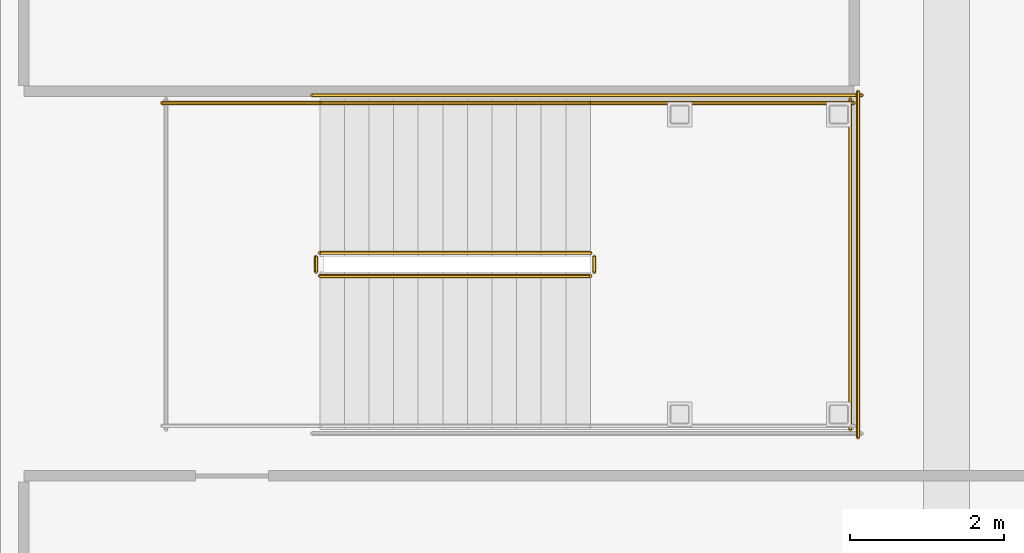
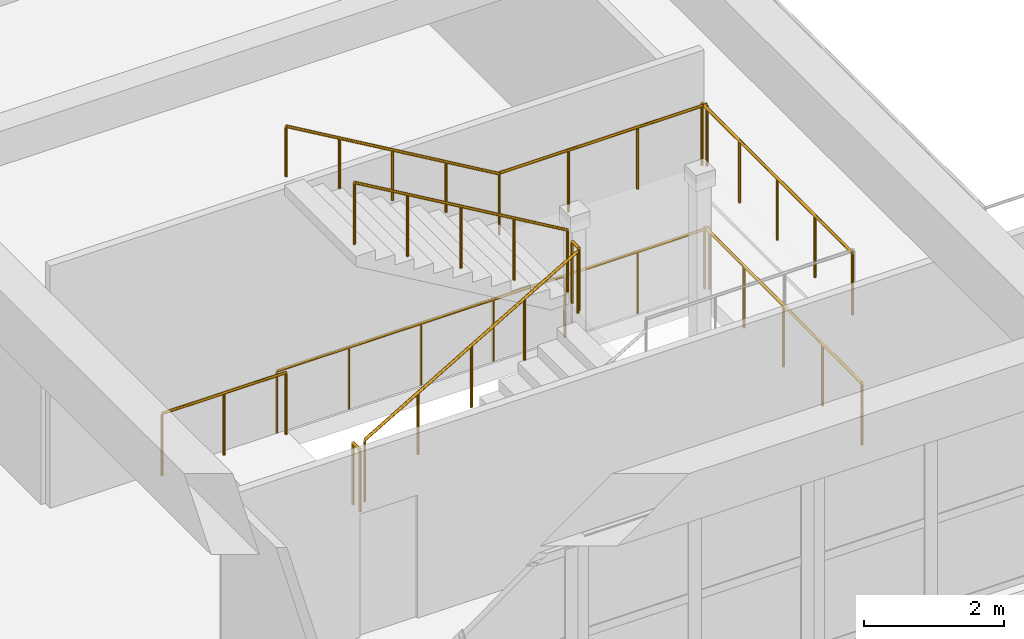
# One storey, part 82 of 92: 10 railings.
"""IFC4 building model written with IfcOpenShell, lengths in metres."""

import ifcopenshell
import ifcopenshell.guid

model = None  # the IFC model being written
_history = None  # IfcOwnerHistory: only IFC2X3 demands one
_inside = {}  # id of a spatial element -> (the spatial element, [elements in it])
_under = {}  # id of a project, library or spatial element -> (it, [spatial elements below it])
_declared = {}  # id of a project -> (the project, [libraries it declares])
_typed = {}  # id of a type object -> (the type object, [elements of that type])
_made_of = {}  # id of a material, layer set ... -> (it, [elements and type objects made of it])


def new_model(schema):
    """Start an empty IFC model of exactly this schema.

    Asked for "IFC4X3", IfcOpenShell would pick the latest addendum, in which some entities
    have other attributes; the version numbers below select the first issue.
    IFC2X3 requires an IfcOwnerHistory on every rooted entity: one is made here for all.
    """
    global model, _history
    if schema == "IFC4X3":
        model = ifcopenshell.file(schema_version=(4, 3, 0, 0))
    else:
        model = ifcopenshell.file(schema=schema)
    _inside.clear()
    _under.clear()
    _declared.clear()
    _typed.clear()
    _made_of.clear()
    _history = None
    if model.schema == "IFC2X3":
        org = make("IfcOrganization", Name="unknown")
        user = make(
            "IfcPersonAndOrganization",
            ThePerson=make("IfcPerson", FamilyName="unknown"),
            TheOrganization=org,
        )
        app = make(
            "IfcApplication",
            ApplicationDeveloper=org,
            Version="unknown",
            ApplicationFullName="unknown",
            ApplicationIdentifier="unknown",
        )
        _history = make(
            "IfcOwnerHistory",
            OwningUser=user,
            OwningApplication=app,
            ChangeAction="ADDED",
            CreationDate=0,
        )
    return model


def make(cls, **values):
    """One entity of the class cls with the attributes given. An attribute that is None is left unset."""
    return model.create_entity(
        cls, **{name: value for name, value in values.items() if value is not None}
    )


def rooted(cls, **values):
    """An entity with a GlobalId (a new one), such as an element, a storey or a relation."""
    return make(cls, GlobalId=ifcopenshell.guid.new(), OwnerHistory=_history, **values)


def si_unit(unit_type, name, prefix=None):
    """IfcSIUnit, for example si_unit("LENGTHUNIT", "METRE", prefix="MILLI")."""
    return make("IfcSIUnit", UnitType=unit_type, Prefix=prefix, Name=name)


def assignment(units):
    """IfcUnitAssignment: the units of a project."""
    return None if units is None else make("IfcUnitAssignment", Units=units)


def point(xyz):
    """IfcCartesianPoint."""
    return None if xyz is None else make("IfcCartesianPoint", Coordinates=xyz)


def direction(xyz):
    """IfcDirection."""
    return None if xyz is None else make("IfcDirection", DirectionRatios=xyz)


def frame(location, z_axis=None, x_axis=None):
    """IfcAxis2Placement3D, a coordinate frame: its origin and axes. An axis left out is left unset."""
    return make(
        "IfcAxis2Placement3D",
        Location=point(location),
        Axis=direction(z_axis),
        RefDirection=direction(x_axis),
    )


def frame_2d(location, x_axis=None):
    """IfcAxis2Placement2D, a coordinate frame in the plane: its origin and x axis."""
    return make(
        "IfcAxis2Placement2D", Location=point(location), RefDirection=direction(x_axis)
    )


def origin():
    """The frame at (0, 0, 0) with its axes left unset."""
    return frame((0.0, 0.0, 0.0))


def origin_2d():
    """The frame at (0, 0) in the plane with its x axis left unset."""
    return frame_2d((0.0, 0.0))


def place(relative_to, where):
    """IfcLocalPlacement: puts the frame where relative to a parent placement (None: the world)."""
    return make(
        "IfcLocalPlacement", PlacementRelTo=relative_to, RelativePlacement=where
    )


def context(
    kind, dimensions, precision=None, world=None, true_north=None, identifier=None
):
    """IfcGeometricRepresentationContext, for example the 3D "Model" context."""
    return make(
        "IfcGeometricRepresentationContext",
        ContextIdentifier=identifier,
        ContextType=kind,
        CoordinateSpaceDimension=dimensions,
        Precision=precision,
        WorldCoordinateSystem=world,
        TrueNorth=true_north,
    )


def subcontext(parent, identifier, kind, view, scale=None):
    """IfcGeometricRepresentationSubContext, for example "Body" below "Model"."""
    return make(
        "IfcGeometricRepresentationSubContext",
        ContextIdentifier=identifier,
        ContextType=kind,
        ParentContext=parent,
        TargetScale=scale,
        TargetView=view,
    )


def project(units=None, contexts=None):
    """IfcProject with its units and contexts."""
    return rooted(
        "IfcProject",
        Name="project",
        RepresentationContexts=contexts,
        UnitsInContext=assignment(units),
    )


def spatial(cls, under=None, at=None, **own):
    """A site, building, storey or space (cls), placed at a placement, below another one or the project."""
    s = rooted(cls, ObjectPlacement=at, **own)
    if under is not None:
        _under.setdefault(under.id(), (under, []))[1].append(s)
    return s


def profile(cls, at=None, kind="AREA", **sizes):
    """A parametric profile (cls). Its sizes go by their IFC names, for example OverallWidth=200.0."""
    return make(cls, ProfileType=kind, Position=at, **sizes)


def circle(**sizes):
    """IfcCircleProfileDef."""
    return profile("IfcCircleProfileDef", **sizes)


def extrude(swept, where, along, depth):
    """IfcExtrudedAreaSolid: the profile swept, set in the frame where, extruded along a direction by depth."""
    return make(
        "IfcExtrudedAreaSolid",
        SweptArea=swept,
        Position=where,
        ExtrudedDirection=direction(along),
        Depth=depth,
    )


def shape(context_of_items, identifier, shape_type, items):
    """IfcShapeRepresentation: the items that make up one representation, for example the "Body"."""
    return make(
        "IfcShapeRepresentation",
        ContextOfItems=context_of_items,
        RepresentationIdentifier=identifier,
        RepresentationType=shape_type,
        Items=items,
    )


def material(Name=None, Category=None):
    """IfcMaterial."""
    return make("IfcMaterial", Name=Name, Category=Category)


def made_of(thing, what):
    """Note that an element or type object is made of a material, layer set ...; save() writes the relation."""
    if what is not None:
        _made_of.setdefault(what.id(), (what, []))[1].append(thing)
    return thing


def type_object(cls, material=None, **own):
    """A type object (cls), such as IfcWallType, which elements share."""
    return made_of(rooted(cls, **own), material)


def element(
    cls,
    number,
    at=None,
    inside=None,
    cuts=None,
    type_object=None,
    material=None,
    context=None,
    identifier="Body",
    shape_type=None,
    held_by="IfcProductDefinitionShape",
    body=None,
    shapes=None,
    **own,
):
    """One element of the class cls, such as IfcWall. Its Tag is "e" and its number.

    at: its placement. inside: the storey or other place that contains it. cuts: it is an
    opening in that element (IfcRelVoidsElement). A single representation is given by context,
    identifier, shape_type and body (its items); several are given by shapes. held_by: the class
    of the entity that holds the representations. save() writes the other relations.
    """
    e = rooted(cls, Tag="e%d" % number, ObjectPlacement=at, **own)
    if body is not None:
        shapes = [shape(context, identifier, shape_type, body)]
    if shapes is not None:
        e.Representation = make(held_by, Representations=shapes)
    if inside is not None:
        _inside.setdefault(inside.id(), (inside, []))[1].append(e)
    if cuts is not None:
        rooted(
            "IfcRelVoidsElement", RelatingBuildingElement=cuts, RelatedOpeningElement=e
        )
    if type_object is not None:
        _typed.setdefault(type_object.id(), (type_object, []))[1].append(e)
    return made_of(e, material)


def aggregate(whole, parts):
    """IfcRelAggregates: a whole, such as a stair, and the parts it consists of."""
    return rooted("IfcRelAggregates", RelatingObject=whole, RelatedObjects=parts)


def save(model, path):
    """Write the relations noted so far, then the file.

    IfcRelAggregates (storeys below a building ...), IfcRelContainedInSpatialStructure (elements
    in a storey), IfcRelDefinesByType, IfcRelAssociatesMaterial and IfcRelDeclares: one each for
    every whole, place, type object, material and project.
    """
    for whole, parts in _under.values():
        aggregate(whole, parts)
    for where, things in _inside.values():
        rooted(
            "IfcRelContainedInSpatialStructure",
            RelatedElements=things,
            RelatingStructure=where,
        )
    for kind, things in _typed.values():
        rooted("IfcRelDefinesByType", RelatedObjects=things, RelatingType=kind)
    for what, things in _made_of.values():
        rooted("IfcRelAssociatesMaterial", RelatedObjects=things, RelatingMaterial=what)
    for by, libraries in _declared.values():
        rooted("IfcRelDeclares", RelatingContext=by, RelatedDefinitions=libraries)
    model.write(path)


model = new_model("IFC4")

# Units and contexts
model_context = context("Model", 3, precision=1e-05, world=origin(), true_north=direction((0.0, 1.0)))
body_context = subcontext(model_context, "Body", "Model", "MODEL_VIEW")
ifc_project = project(units=[si_unit("LENGTHUNIT", "METRE"), si_unit("AREAUNIT", "SQUARE_METRE"), si_unit("VOLUMEUNIT", "CUBIC_METRE"), si_unit("PLANEANGLEUNIT", "RADIAN"), si_unit("MASSUNIT", "GRAM", prefix="KILO")], contexts=[model_context])

# Site, building, storey
site_placement = place(None, origin())
site = spatial("IfcSite", under=ifc_project, at=site_placement, CompositionType="ELEMENT")
building_placement = place(site_placement, origin())
building = spatial("IfcBuilding", under=site, at=building_placement, Name="Tarnavel Promenade Courthouse", CompositionType="ELEMENT")
storey_placement = place(building_placement, frame((0.0, 0.0, 5.39990234375)))
storey = spatial("IfcBuildingStorey", under=building, at=storey_placement, Name="L02", CompositionType="ELEMENT", Elevation=5.39990234375)

# Railings
ifc_material_1 = material(Name="Brushed Bronze Tubular Stair Handrail")
railing_type_1 = type_object("IfcRailingType", Name="Brushed Bronze Tubular Stair Handrail (RL-HND-0900)", PredefinedType="HANDRAIL", material=ifc_material_1)
railing_1_placement = place(storey_placement, frame((54.169921875, 55.449951171875, 2.4375)))
element("IfcRailing", 1, at=railing_1_placement, inside=storey, type_object=railing_type_1, Name="L02 ST-10 stair handrail 2", PredefinedType="HANDRAIL", context=body_context, shape_type="SweptSolid", body=[
    extrude(circle(Radius=0.02392578125, at=origin_2d()), frame((0.0, 0.0, 0.8759765625), z_axis=(-0.862800583847, 0.0, 0.505544412009), x_axis=(0.0, -1.0, 0.0)), (0.0, 0.0, 1.0), 4.079833984375),
    extrude(circle(Radius=0.02099609375, at=origin_2d()), origin(), (0.0, 0.0, 1.0), 0.851806640625),
    extrude(circle(Radius=0.02099609375, at=origin_2d()), frame((-0.8798828125, 0.0, 0.515625)), (0.0, 0.0, 1.0), 0.851806640625),
    extrude(circle(Radius=0.02099609375, at=origin_2d()), frame((-1.760009765625, 0.0, 1.03125)), (0.0, 0.0, 1.0), 0.851806640625),
    extrude(circle(Radius=0.02099609375, at=origin_2d()), frame((-2.64013671875, 0.0, 1.546875)), (0.0, 0.0, 1.0), 0.851806640625),
    extrude(circle(Radius=0.02099609375, at=origin_2d()), frame((-3.52001953125, 0.0, 2.0625)), (0.0, 0.0, 1.0), 0.851806640625),
])
ifc_material_2 = material(Name="Painted Architectural Steel Stair & Atrium Guardrail", Category="steel")
railing_type_2 = type_object("IfcRailingType", Name="Painted Architectural Steel Stair & Atrium Guardrail (RL-GRD-1120)", PredefinedType="GUARDRAIL", material=ifc_material_2)
railing_2_placement = place(storey_placement, frame((50.64990234375, 53.199951171875, 0.1875)))
element("IfcRailing", 2, at=railing_2_placement, inside=storey, type_object=railing_type_2, Name="L02 ST-10 stair guard 1", PredefinedType="GUARDRAIL", context=body_context, shape_type="SweptSolid", body=[
    extrude(circle(Radius=0.02392578125, at=origin_2d()), frame((0.0, 0.0, 1.076171875), z_axis=(0.862800583847, 0.0, 0.505544412009), x_axis=(0.0, 1.0, 0.0)), (0.0, 0.0, 1.0), 4.079833984375),
    extrude(circle(Radius=0.02099609375, at=origin_2d()), origin(), (0.0, 0.0, 1.0), 1.052001953125),
    extrude(circle(Radius=0.02099609375, at=origin_2d()), frame((0.8798828125, 0.0, 0.515625)), (0.0, 0.0, 1.0), 1.052001953125),
    extrude(circle(Radius=0.02099609375, at=origin_2d()), frame((1.760009765625, 0.0, 1.03125)), (0.0, 0.0, 1.0), 1.052001953125),
    extrude(circle(Radius=0.02099609375, at=origin_2d()), frame((2.64013671875, 0.0, 1.546875)), (0.0, 0.0, 1.0), 1.052001953125),
    extrude(circle(Radius=0.02099609375, at=origin_2d()), frame((3.52001953125, 0.0, 2.0625)), (0.0, 0.0, 1.0), 1.052001953125),
])
railing_3_placement = place(storey_placement, frame((54.219970703125, 53.25, 2.25)))
element("IfcRailing", 3, at=railing_3_placement, inside=storey, type_object=railing_type_2, Name="L02 ST-10 stair guard 2", PredefinedType="GUARDRAIL", context=body_context, shape_type="SweptSolid", body=[
    extrude(circle(Radius=0.02392578125, at=origin_2d()), frame((0.0, 0.0, 1.076171875), z_axis=(0.0, 1.0, 0.0), x_axis=(-1.0, 0.0, 0.0)), (0.0, 0.0, 1.0), 0.199951171875),
    extrude(circle(Radius=0.02099609375, at=origin_2d()), origin(), (0.0, 0.0, 1.0), 1.052001953125),
    extrude(circle(Radius=0.02099609375, at=origin_2d()), frame((0.0, 0.199951171875, 0.0)), (0.0, 0.0, 1.0), 1.052001953125),
])
railing_4_placement = place(storey_placement, frame((54.169921875, 55.449951171875, 2.25)))
element("IfcRailing", 4, at=railing_4_placement, inside=storey, type_object=railing_type_2, Name="L02 ST-10 stair guard 4", PredefinedType="GUARDRAIL", context=body_context, shape_type="SweptSolid", body=[
    extrude(circle(Radius=0.02392578125, at=origin_2d()), frame((0.0, 0.0, 1.076171875), z_axis=(1.0, 0.0, 0.0), x_axis=(0.0, 1.0, 0.0)), (0.0, 0.0, 1.0), 3.43017578125),
    extrude(circle(Radius=0.02099609375, at=origin_2d()), origin(), (0.0, 0.0, 1.0), 1.052001953125),
    extrude(circle(Radius=0.02099609375, at=origin_2d()), frame((1.143310546875, 0.0, 0.0)), (0.0, 0.0, 1.0), 1.052001953125),
    extrude(circle(Radius=0.02099609375, at=origin_2d()), frame((2.286865234375, 0.0, 0.0)), (0.0, 0.0, 1.0), 1.052001953125),
    extrude(circle(Radius=0.02099609375, at=origin_2d()), frame((3.43017578125, 0.0, 0.0)), (0.0, 0.0, 1.0), 1.052001953125),
])
railing_5_placement = place(storey_placement, frame((57.550048828125, 51.199951171875, 2.25)))
element("IfcRailing", 5, at=railing_5_placement, inside=storey, type_object=railing_type_2, Name="L02 ST-10 stair guard 5", PredefinedType="GUARDRAIL", context=body_context, shape_type="SweptSolid", body=[
    extrude(circle(Radius=0.02392578125, at=origin_2d()), frame((0.0, 0.0, 1.076171875), z_axis=(0.0, 1.0, 0.0), x_axis=(-1.0, 0.0, 0.0)), (0.0, 0.0, 1.0), 4.300048828125),
    extrude(circle(Radius=0.02099609375, at=origin_2d()), origin(), (0.0, 0.0, 1.0), 1.052001953125),
    extrude(circle(Radius=0.02099609375, at=origin_2d()), frame((0.0, 1.074951171875, 0.0)), (0.0, 0.0, 1.0), 1.052001953125),
    extrude(circle(Radius=0.02099609375, at=origin_2d()), frame((0.0, 2.14990234375, 0.0)), (0.0, 0.0, 1.0), 1.052001953125),
    extrude(circle(Radius=0.02099609375, at=origin_2d()), frame((0.0, 3.22509765625, 0.0)), (0.0, 0.0, 1.0), 1.052001953125),
    extrude(circle(Radius=0.02099609375, at=origin_2d()), frame((0.0, 4.300048828125, 0.0)), (0.0, 0.0, 1.0), 1.052001953125),
])
railing_6_placement = place(storey_placement, frame((54.169921875, 53.5, 2.4375)))
element("IfcRailing", 6, at=railing_6_placement, inside=storey, type_object=railing_type_2, Name="L02 ST-10 stair guard 6", PredefinedType="GUARDRAIL", context=body_context, shape_type="SweptSolid", body=[
    extrude(circle(Radius=0.02392578125, at=origin_2d()), frame((0.0, 0.0, 1.076171875), z_axis=(-0.862800583847, 0.0, 0.505544412009), x_axis=(0.0, -1.0, 0.0)), (0.0, 0.0, 1.0), 4.079833984375),
    extrude(circle(Radius=0.02099609375, at=origin_2d()), origin(), (0.0, 0.0, 1.0), 1.052001953125),
    extrude(circle(Radius=0.02099609375, at=origin_2d()), frame((-0.8798828125, 0.0, 0.515625)), (0.0, 0.0, 1.0), 1.052001953125),
    extrude(circle(Radius=0.02099609375, at=origin_2d()), frame((-1.760009765625, 0.0, 1.03125)), (0.0, 0.0, 1.0), 1.052001953125),
    extrude(circle(Radius=0.02099609375, at=origin_2d()), frame((-2.64013671875, 0.0, 1.546875)), (0.0, 0.0, 1.0), 1.052001953125),
    extrude(circle(Radius=0.02099609375, at=origin_2d()), frame((-3.52001953125, 0.0, 2.0625)), (0.0, 0.0, 1.0), 1.052001953125),
])
railing_7_placement = place(storey_placement, frame((50.60009765625, 53.25, 0.0)))
element("IfcRailing", 7, at=railing_7_placement, inside=storey, type_object=railing_type_2, Name="L02 ST-10 stair guard 7", PredefinedType="GUARDRAIL", context=body_context, shape_type="SweptSolid", body=[
    extrude(circle(Radius=0.02392578125, at=origin_2d()), frame((0.0, 0.0, 1.076171875), z_axis=(0.0, 1.0, 0.0), x_axis=(-1.0, 0.0, 0.0)), (0.0, 0.0, 1.0), 0.199951171875),
    extrude(circle(Radius=0.02099609375, at=origin_2d()), origin(), (0.0, 0.0, 1.0), 1.052001953125),
    extrude(circle(Radius=0.02099609375, at=origin_2d()), frame((0.0, 0.199951171875, 0.0)), (0.0, 0.0, 1.0), 1.052001953125),
])
railing_8_placement = place(storey_placement, frame((48.60009765625, 55.449951171875, 0.0)))
element("IfcRailing", 8, at=railing_8_placement, inside=storey, type_object=railing_type_2, Name="L02 ST-10 stair guard 9", PredefinedType="GUARDRAIL", context=body_context, shape_type="SweptSolid", body=[
    extrude(circle(Radius=0.02392578125, at=origin_2d()), frame((0.0, 0.0, 1.076171875), z_axis=(1.0, 0.0, 0.0), x_axis=(0.0, 1.0, 0.0)), (0.0, 0.0, 1.0), 2.0498046875),
    extrude(circle(Radius=0.02099609375, at=origin_2d()), origin(), (0.0, 0.0, 1.0), 1.052001953125),
    extrude(circle(Radius=0.02099609375, at=origin_2d()), frame((1.02490234375, 0.0, 0.0)), (0.0, 0.0, 1.0), 1.052001953125),
    extrude(circle(Radius=0.02099609375, at=origin_2d()), frame((2.0498046875, 0.0, 0.0)), (0.0, 0.0, 1.0), 1.052001953125),
])
railing_9_placement = place(storey_placement, frame((50.550048828125, 55.550048828125, 0.0)))
element("IfcRailing", 9, at=railing_9_placement, inside=storey, type_object=railing_type_2, Name="L02 ST-10 stair guard 12", PredefinedType="GUARDRAIL", context=body_context, shape_type="SweptSolid", body=[
    extrude(circle(Radius=0.02392578125, at=origin_2d()), frame((0.0, 0.0, 1.076171875), z_axis=(1.0, 0.0, 0.0), x_axis=(0.0, 1.0, 0.0)), (0.0, 0.0, 1.0), 7.14990234375),
    extrude(circle(Radius=0.02099609375, at=origin_2d()), origin(), (0.0, 0.0, 1.0), 1.052001953125),
    extrude(circle(Radius=0.02099609375, at=origin_2d()), frame((1.191650390625, 0.0, 0.0)), (0.0, 0.0, 1.0), 1.052001953125),
    extrude(circle(Radius=0.02099609375, at=origin_2d()), frame((2.38330078125, 0.0, 0.0)), (0.0, 0.0, 1.0), 1.052001953125),
    extrude(circle(Radius=0.02099609375, at=origin_2d()), frame((3.574951171875, 0.0, 0.0)), (0.0, 0.0, 1.0), 1.052001953125),
    extrude(circle(Radius=0.02099609375, at=origin_2d()), frame((4.7666015625, 0.0, 0.0)), (0.0, 0.0, 1.0), 1.052001953125),
    extrude(circle(Radius=0.02099609375, at=origin_2d()), frame((5.958251953125, 0.0, 0.0)), (0.0, 0.0, 1.0), 1.052001953125),
    extrude(circle(Radius=0.02099609375, at=origin_2d()), frame((7.14990234375, 0.0, 0.0)), (0.0, 0.0, 1.0), 1.052001953125),
])
railing_10_placement = place(storey_placement, frame((57.64990234375, 51.10009765625, 0.0)))
element("IfcRailing", 10, at=railing_10_placement, inside=storey, type_object=railing_type_2, Name="L02 ST-10 stair guard 13", PredefinedType="GUARDRAIL", context=body_context, shape_type="SweptSolid", body=[
    extrude(circle(Radius=0.02392578125, at=origin_2d()), frame((0.0, 0.0, 1.076171875), z_axis=(0.0, 1.0, 0.0), x_axis=(-1.0, 0.0, 0.0)), (0.0, 0.0, 1.0), 4.5),
    extrude(circle(Radius=0.02099609375, at=origin_2d()), origin(), (0.0, 0.0, 1.0), 1.052001953125),
    extrude(circle(Radius=0.02099609375, at=origin_2d()), frame((0.0, 1.125, 0.0)), (0.0, 0.0, 1.0), 1.052001953125),
    extrude(circle(Radius=0.02099609375, at=origin_2d()), frame((0.0, 2.25, 0.0)), (0.0, 0.0, 1.0), 1.052001953125),
    extrude(circle(Radius=0.02099609375, at=origin_2d()), frame((0.0, 3.375, 0.0)), (0.0, 0.0, 1.0), 1.052001953125),
    extrude(circle(Radius=0.02099609375, at=origin_2d()), frame((0.0, 4.5, 0.0)), (0.0, 0.0, 1.0), 1.052001953125),
])

save(model, "model.ifc")
